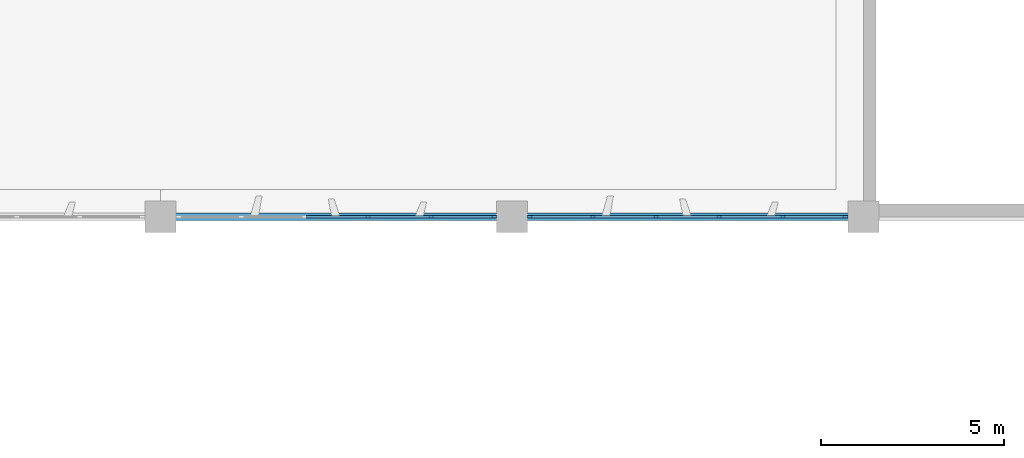
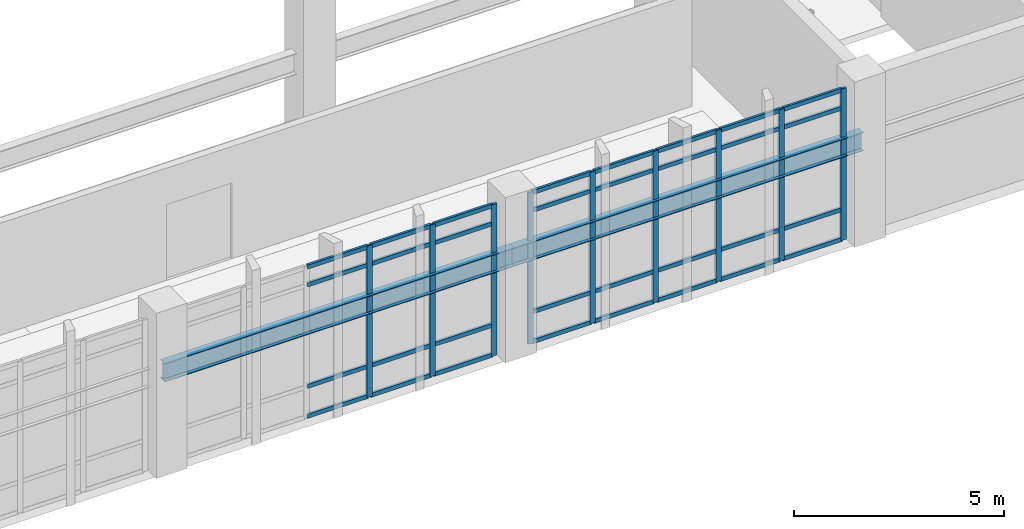
# One storey, part 29 of 86: 41 members, 2 beams, 2 elements without a shape of their own.
"""IFC4 building model written with IfcOpenShell, lengths in metres."""

from ifc_helpers import new_model, si_unit, direction, frame, origin, origin_2d, place, context, subcontext, project, spatial, rectangle, i_section, extrude, material, layer, layer_set, material_profile, profile_set, type_object, element, aggregate, save


model = new_model("IFC4")

# Units and contexts
model_context = context("Model", 3, precision=1e-05, world=origin(), true_north=direction((0.0, 1.0)))
body_context = subcontext(model_context, "Body", "Model", "MODEL_VIEW")
ifc_project = project(units=[si_unit("LENGTHUNIT", "METRE"), si_unit("AREAUNIT", "SQUARE_METRE"), si_unit("VOLUMEUNIT", "CUBIC_METRE"), si_unit("PLANEANGLEUNIT", "RADIAN"), si_unit("MASSUNIT", "GRAM", prefix="KILO")], contexts=[model_context])

# Site, building, storey
site_placement = place(None, origin())
site = spatial("IfcSite", under=ifc_project, at=site_placement, CompositionType="ELEMENT")
building_placement = place(site_placement, origin())
building = spatial("IfcBuilding", under=site, at=building_placement, Name="Kolvemor Railside Polytechnic", CompositionType="ELEMENT")
storey_placement = place(building_placement, frame((0.0, 0.0, 5.39990234375)))
storey = spatial("IfcBuildingStorey", under=building, at=storey_placement, Name="L01", CompositionType="ELEMENT", Elevation=5.39990234375)

# Beams
ifc_material_1 = material(Name="Steel S355", Category="steel")
ifc_material_profile_1 = material_profile(ifc_material_1, i_section(OverallWidth=0.2109375, OverallDepth=0.5390625, WebThickness=0.01171875, FlangeThickness=0.018798828125, FilletRadius=0.013916015625, at=origin_2d()), Name="W530x109")
ifc_profile_set_1 = profile_set([ifc_material_profile_1], Name="Steel S355")
beam_type = type_object("IfcBeamType", Name="BM-ST-CRANE2", PredefinedType="BEAM", material=ifc_profile_set_1)
beam_1_placement = place(storey_placement, frame((105.60009765625, 91.199951171875, 2.730712890625), z_axis=(1.0, 0.0, 0.0), x_axis=(0.0, 1.0, 0.0)))
element("IfcBeam", 1, at=beam_1_placement, inside=storey, type_object=beam_type, Name="Workshop Header Steel Girder CRG-G10", PredefinedType="BEAM", context=body_context, shape_type="SweptSolid", body=[
    extrude(i_section(OverallWidth=0.2109375, OverallDepth=0.5390625, WebThickness=0.01171875, FlangeThickness=0.018798828125, FilletRadius=0.013916015625, at=origin_2d()), origin(), (0.0, 0.0, 1.0), 9.599853515625),
])
beam_2_placement = place(storey_placement, frame((115.199951171875, 91.199951171875, 2.730712890625), z_axis=(1.0, 0.0, 0.0), x_axis=(0.0, 1.0, 0.0)))
element("IfcBeam", 2, at=beam_2_placement, inside=storey, type_object=beam_type, Name="Workshop Header Steel Girder CRG-G11", PredefinedType="BEAM", context=body_context, shape_type="SweptSolid", body=[
    extrude(i_section(OverallWidth=0.2109375, OverallDepth=0.5390625, WebThickness=0.01171875, FlangeThickness=0.018798828125, FilletRadius=0.013916015625, at=origin_2d()), origin(), (0.0, 0.0, 1.0), 9.60009765625),
])

# Curtain wall, members
ifc_material_2 = material(Name="Anodised marine aluminium and laminated low-E glass", Category="aluminium")
ifc_layer = layer(ifc_material_2, 0.179931640625, Name="CW-UNIT-WKS")
ifc_layer_set = layer_set([ifc_layer], Name="Anodised marine aluminium and laminated low-E glass")
curtain_wall_type = type_object("IfcCurtainWallType", Name="CW-UNIT-WKS", PredefinedType="USERDEFINED", material=ifc_layer_set)
curtain_wall_1_placement = place(storey_placement, origin())
curtain_wall_1 = element("IfcCurtainWall", 3, at=curtain_wall_1_placement, inside=storey, type_object=curtain_wall_type, Name="Curtain Wall L01-021", ObjectType="UNITISED CURTAIN WALL", PredefinedType="USERDEFINED")
ifc_material_3 = material(Name="Anodised marine aluminium 6063-T6", Category="aluminium")
ifc_material_profile_2 = material_profile(ifc_material_3, rectangle(XDim=0.06494140625, YDim=0.14990234375, at=origin_2d()), Name="CW-MUL-65x150")
ifc_profile_set_2 = profile_set([ifc_material_profile_2], Name="Anodised marine aluminium 6063-T6")
member_type_1 = type_object("IfcMemberType", Name="CWM-65x150", PredefinedType="MULLION", material=ifc_profile_set_2)
member_1_placement = place(storey_placement, frame((111.26611328125, 91.199951171875, 0.0), z_axis=(0.0, 0.0, 1.0), x_axis=(0.0, 1.0, 0.0)))
member_1 = element("IfcMember", 4, at=member_1_placement, type_object=member_type_1, Name="CW-WKS mullion 4", PredefinedType="MULLION", context=body_context, shape_type="SweptSolid", body=[
    extrude(rectangle(XDim=0.06494140625, YDim=0.14990234375, at=origin_2d()), origin(), (0.0, 0.0, 1.0), 4.400146484375),
])
member_2_placement = place(storey_placement, frame((112.998046875, 91.199951171875, 0.0), z_axis=(0.0, 0.0, 1.0), x_axis=(0.0, 1.0, 0.0)))
member_2 = element("IfcMember", 5, at=member_2_placement, type_object=member_type_1, Name="CW-WKS mullion 5", PredefinedType="MULLION", context=body_context, shape_type="SweptSolid", body=[
    extrude(rectangle(XDim=0.06494140625, YDim=0.14990234375, at=origin_2d()), origin(), (0.0, 0.0, 1.0), 4.400146484375),
])
member_3_placement = place(storey_placement, frame((114.697509765625, 91.199951171875, 0.0), z_axis=(0.0, 0.0, 1.0), x_axis=(0.0, 1.0, 0.0)))
member_3 = element("IfcMember", 6, at=member_3_placement, type_object=member_type_1, Name="CW-WKS mullion 6", PredefinedType="MULLION", context=body_context, shape_type="SweptSolid", body=[
    extrude(rectangle(XDim=0.06494140625, YDim=0.14990234375, at=origin_2d()), origin(), (0.0, 0.0, 1.0), 4.400146484375),
])

curtain_wall_2_placement = place(storey_placement, origin())
curtain_wall_2 = element("IfcCurtainWall", 7, at=curtain_wall_2_placement, inside=storey, type_object=curtain_wall_type, Name="Curtain Wall L01-024", ObjectType="UNITISED CURTAIN WALL", PredefinedType="USERDEFINED")
member_4_placement = place(storey_placement, frame((115.702392578125, 91.199951171875, 0.0), z_axis=(0.0, 0.0, 1.0), x_axis=(0.0, 1.0, 0.0)))
member_4 = element("IfcMember", 8, at=member_4_placement, type_object=member_type_1, Name="CW-WKS mullion 1", PredefinedType="MULLION", context=body_context, shape_type="SweptSolid", body=[
    extrude(rectangle(XDim=0.06494140625, YDim=0.14990234375, at=origin_2d()), origin(), (0.0, 0.0, 1.0), 4.400146484375),
])
member_5_placement = place(storey_placement, frame((117.402099609375, 91.199951171875, 0.0), z_axis=(0.0, 0.0, 1.0), x_axis=(0.0, 1.0, 0.0)))
member_5 = element("IfcMember", 9, at=member_5_placement, type_object=member_type_1, Name="CW-WKS mullion 2", PredefinedType="MULLION", context=body_context, shape_type="SweptSolid", body=[
    extrude(rectangle(XDim=0.06494140625, YDim=0.14990234375, at=origin_2d()), origin(), (0.0, 0.0, 1.0), 4.400146484375),
])
member_6_placement = place(storey_placement, frame((119.134033203125, 91.199951171875, 0.0), z_axis=(0.0, 0.0, 1.0), x_axis=(0.0, 1.0, 0.0)))
member_6 = element("IfcMember", 10, at=member_6_placement, type_object=member_type_1, Name="CW-WKS mullion 3", PredefinedType="MULLION", context=body_context, shape_type="SweptSolid", body=[
    extrude(rectangle(XDim=0.06494140625, YDim=0.14990234375, at=origin_2d()), origin(), (0.0, 0.0, 1.0), 4.400146484375),
])
member_7_placement = place(storey_placement, frame((120.865966796875, 91.199951171875, 0.0), z_axis=(0.0, 0.0, 1.0), x_axis=(0.0, 1.0, 0.0)))
member_7 = element("IfcMember", 11, at=member_7_placement, type_object=member_type_1, Name="CW-WKS mullion 4", PredefinedType="MULLION", context=body_context, shape_type="SweptSolid", body=[
    extrude(rectangle(XDim=0.06494140625, YDim=0.14990234375, at=origin_2d()), origin(), (0.0, 0.0, 1.0), 4.400146484375),
])
member_8_placement = place(storey_placement, frame((122.597900390625, 91.199951171875, 0.0), z_axis=(0.0, 0.0, 1.0), x_axis=(0.0, 1.0, 0.0)))
member_8 = element("IfcMember", 12, at=member_8_placement, type_object=member_type_1, Name="CW-WKS mullion 5", PredefinedType="MULLION", context=body_context, shape_type="SweptSolid", body=[
    extrude(rectangle(XDim=0.06494140625, YDim=0.14990234375, at=origin_2d()), origin(), (0.0, 0.0, 1.0), 4.400146484375),
])
member_9_placement = place(storey_placement, frame((124.297607421875, 91.199951171875, 0.0), z_axis=(0.0, 0.0, 1.0), x_axis=(0.0, 1.0, 0.0)))
member_9 = element("IfcMember", 13, at=member_9_placement, type_object=member_type_1, Name="CW-WKS mullion 6", PredefinedType="MULLION", context=body_context, shape_type="SweptSolid", body=[
    extrude(rectangle(XDim=0.06494140625, YDim=0.14990234375, at=origin_2d()), origin(), (0.0, 0.0, 1.0), 4.400146484375),
])

# Member
ifc_material_4 = material(Name="Anodised marine aluminium 6063-T6", Category="aluminium")
ifc_material_profile_3 = material_profile(ifc_material_4, rectangle(XDim=0.06494140625, YDim=0.1201171875, at=origin_2d()), Name="CW-TRN-65x120")
ifc_profile_set_3 = profile_set([ifc_material_profile_3], Name="Anodised marine aluminium 6063-T6")
member_type_2 = type_object("IfcMemberType", Name="CWT-65x120", PredefinedType="USERDEFINED", material=ifc_profile_set_3)
member_10_placement = place(storey_placement, frame((109.56640625, 91.199951171875, 0.03271484375), z_axis=(1.0, 0.0, 0.0), x_axis=(0.0, 1.0, 0.0)))
member_10 = element("IfcMember", 14, at=member_10_placement, type_object=member_type_2, Name="CW-WKS transom 3.1", ObjectType="TRANSOM", PredefinedType="USERDEFINED", context=body_context, shape_type="SweptSolid", body=[
    extrude(rectangle(XDim=0.06494140625, YDim=0.1201171875, at=origin_2d()), origin(), (0.0, 0.0, 1.0), 1.6669921875),
])

member_11_placement = place(storey_placement, frame((109.56640625, 91.199951171875, 0.900146484375), z_axis=(1.0, 0.0, 0.0), x_axis=(0.0, 1.0, 0.0)))
member_11 = element("IfcMember", 15, at=member_11_placement, type_object=member_type_2, Name="CW-WKS transom 3.2", ObjectType="TRANSOM", PredefinedType="USERDEFINED", context=body_context, shape_type="SweptSolid", body=[
    extrude(rectangle(XDim=0.06494140625, YDim=0.1201171875, at=origin_2d()), origin(), (0.0, 0.0, 1.0), 1.6669921875),
])

member_12_placement = place(storey_placement, frame((109.56640625, 91.199951171875, 3.85009765625), z_axis=(1.0, 0.0, 0.0), x_axis=(0.0, 1.0, 0.0)))
member_12 = element("IfcMember", 16, at=member_12_placement, type_object=member_type_2, Name="CW-WKS transom 3.3", ObjectType="TRANSOM", PredefinedType="USERDEFINED", context=body_context, shape_type="SweptSolid", body=[
    extrude(rectangle(XDim=0.06494140625, YDim=0.1201171875, at=origin_2d()), origin(), (0.0, 0.0, 1.0), 1.6669921875),
])

member_13_placement = place(storey_placement, frame((109.56640625, 91.199951171875, 4.36767578125), z_axis=(1.0, 0.0, 0.0), x_axis=(0.0, 1.0, 0.0)))
member_13 = element("IfcMember", 17, at=member_13_placement, type_object=member_type_2, Name="CW-WKS transom 3.4", ObjectType="TRANSOM", PredefinedType="USERDEFINED", context=body_context, shape_type="SweptSolid", body=[
    extrude(rectangle(XDim=0.06494140625, YDim=0.1201171875, at=origin_2d()), origin(), (0.0, 0.0, 1.0), 1.6669921875),
])

member_14_placement = place(storey_placement, frame((111.298583984375, 91.199951171875, 0.03271484375), z_axis=(1.0, 0.0, 0.0), x_axis=(0.0, 1.0, 0.0)))
member_14 = element("IfcMember", 18, at=member_14_placement, type_object=member_type_2, Name="CW-WKS transom 4.1", ObjectType="TRANSOM", PredefinedType="USERDEFINED", context=body_context, shape_type="SweptSolid", body=[
    extrude(rectangle(XDim=0.06494140625, YDim=0.1201171875, at=origin_2d()), origin(), (0.0, 0.0, 1.0), 1.6669921875),
])

member_15_placement = place(storey_placement, frame((111.298583984375, 91.199951171875, 0.900146484375), z_axis=(1.0, 0.0, 0.0), x_axis=(0.0, 1.0, 0.0)))
member_15 = element("IfcMember", 19, at=member_15_placement, type_object=member_type_2, Name="CW-WKS transom 4.2", ObjectType="TRANSOM", PredefinedType="USERDEFINED", context=body_context, shape_type="SweptSolid", body=[
    extrude(rectangle(XDim=0.06494140625, YDim=0.1201171875, at=origin_2d()), origin(), (0.0, 0.0, 1.0), 1.6669921875),
])

member_16_placement = place(storey_placement, frame((111.298583984375, 91.199951171875, 3.85009765625), z_axis=(1.0, 0.0, 0.0), x_axis=(0.0, 1.0, 0.0)))
member_16 = element("IfcMember", 20, at=member_16_placement, type_object=member_type_2, Name="CW-WKS transom 4.3", ObjectType="TRANSOM", PredefinedType="USERDEFINED", context=body_context, shape_type="SweptSolid", body=[
    extrude(rectangle(XDim=0.06494140625, YDim=0.1201171875, at=origin_2d()), origin(), (0.0, 0.0, 1.0), 1.6669921875),
])

member_17_placement = place(storey_placement, frame((111.298583984375, 91.199951171875, 4.36767578125), z_axis=(1.0, 0.0, 0.0), x_axis=(0.0, 1.0, 0.0)))
member_17 = element("IfcMember", 21, at=member_17_placement, type_object=member_type_2, Name="CW-WKS transom 4.4", ObjectType="TRANSOM", PredefinedType="USERDEFINED", context=body_context, shape_type="SweptSolid", body=[
    extrude(rectangle(XDim=0.06494140625, YDim=0.1201171875, at=origin_2d()), origin(), (0.0, 0.0, 1.0), 1.6669921875),
])

member_18_placement = place(storey_placement, frame((113.030517578125, 91.199951171875, 0.03271484375), z_axis=(1.0, 0.0, 0.0), x_axis=(0.0, 1.0, 0.0)))
member_18 = element("IfcMember", 22, at=member_18_placement, type_object=member_type_2, Name="CW-WKS transom 5.1", ObjectType="TRANSOM", PredefinedType="USERDEFINED", context=body_context, shape_type="SweptSolid", body=[
    extrude(rectangle(XDim=0.06494140625, YDim=0.1201171875, at=origin_2d()), origin(), (0.0, 0.0, 1.0), 1.634521484375),
])

member_19_placement = place(storey_placement, frame((113.030517578125, 91.199951171875, 0.900146484375), z_axis=(1.0, 0.0, 0.0), x_axis=(0.0, 1.0, 0.0)))
member_19 = element("IfcMember", 23, at=member_19_placement, type_object=member_type_2, Name="CW-WKS transom 5.2", ObjectType="TRANSOM", PredefinedType="USERDEFINED", context=body_context, shape_type="SweptSolid", body=[
    extrude(rectangle(XDim=0.06494140625, YDim=0.1201171875, at=origin_2d()), origin(), (0.0, 0.0, 1.0), 1.634521484375),
])

member_20_placement = place(storey_placement, frame((113.030517578125, 91.199951171875, 3.85009765625), z_axis=(1.0, 0.0, 0.0), x_axis=(0.0, 1.0, 0.0)))
member_20 = element("IfcMember", 24, at=member_20_placement, type_object=member_type_2, Name="CW-WKS transom 5.3", ObjectType="TRANSOM", PredefinedType="USERDEFINED", context=body_context, shape_type="SweptSolid", body=[
    extrude(rectangle(XDim=0.06494140625, YDim=0.1201171875, at=origin_2d()), origin(), (0.0, 0.0, 1.0), 1.634521484375),
])

member_21_placement = place(storey_placement, frame((113.030517578125, 91.199951171875, 4.36767578125), z_axis=(1.0, 0.0, 0.0), x_axis=(0.0, 1.0, 0.0)))
member_21 = element("IfcMember", 25, at=member_21_placement, type_object=member_type_2, Name="CW-WKS transom 5.4", ObjectType="TRANSOM", PredefinedType="USERDEFINED", context=body_context, shape_type="SweptSolid", body=[
    extrude(rectangle(XDim=0.06494140625, YDim=0.1201171875, at=origin_2d()), origin(), (0.0, 0.0, 1.0), 1.634521484375),
])

aggregate(curtain_wall_1, [member_1, member_2, member_3, member_10, member_11, member_12, member_13, member_14, member_15, member_16, member_17, member_18, member_19, member_20, member_21])

member_22_placement = place(storey_placement, frame((115.735107421875, 91.199951171875, 0.03271484375), z_axis=(1.0, 0.0, 0.0), x_axis=(0.0, 1.0, 0.0)))
member_22 = element("IfcMember", 26, at=member_22_placement, type_object=member_type_2, Name="CW-WKS transom 1.1", ObjectType="TRANSOM", PredefinedType="USERDEFINED", context=body_context, shape_type="SweptSolid", body=[
    extrude(rectangle(XDim=0.06494140625, YDim=0.1201171875, at=origin_2d()), origin(), (0.0, 0.0, 1.0), 1.63427734375),
])

member_23_placement = place(storey_placement, frame((115.735107421875, 91.199951171875, 0.900146484375), z_axis=(1.0, 0.0, 0.0), x_axis=(0.0, 1.0, 0.0)))
member_23 = element("IfcMember", 27, at=member_23_placement, type_object=member_type_2, Name="CW-WKS transom 1.2", ObjectType="TRANSOM", PredefinedType="USERDEFINED", context=body_context, shape_type="SweptSolid", body=[
    extrude(rectangle(XDim=0.06494140625, YDim=0.1201171875, at=origin_2d()), origin(), (0.0, 0.0, 1.0), 1.63427734375),
])

member_24_placement = place(storey_placement, frame((115.735107421875, 91.199951171875, 3.85009765625), z_axis=(1.0, 0.0, 0.0), x_axis=(0.0, 1.0, 0.0)))
member_24 = element("IfcMember", 28, at=member_24_placement, type_object=member_type_2, Name="CW-WKS transom 1.3", ObjectType="TRANSOM", PredefinedType="USERDEFINED", context=body_context, shape_type="SweptSolid", body=[
    extrude(rectangle(XDim=0.06494140625, YDim=0.1201171875, at=origin_2d()), origin(), (0.0, 0.0, 1.0), 1.63427734375),
])

member_25_placement = place(storey_placement, frame((115.735107421875, 91.199951171875, 4.36767578125), z_axis=(1.0, 0.0, 0.0), x_axis=(0.0, 1.0, 0.0)))
member_25 = element("IfcMember", 29, at=member_25_placement, type_object=member_type_2, Name="CW-WKS transom 1.4", ObjectType="TRANSOM", PredefinedType="USERDEFINED", context=body_context, shape_type="SweptSolid", body=[
    extrude(rectangle(XDim=0.06494140625, YDim=0.1201171875, at=origin_2d()), origin(), (0.0, 0.0, 1.0), 1.63427734375),
])

member_26_placement = place(storey_placement, frame((117.4345703125, 91.199951171875, 0.03271484375), z_axis=(1.0, 0.0, 0.0), x_axis=(0.0, 1.0, 0.0)))
member_26 = element("IfcMember", 30, at=member_26_placement, type_object=member_type_2, Name="CW-WKS transom 2.1", ObjectType="TRANSOM", PredefinedType="USERDEFINED", context=body_context, shape_type="SweptSolid", body=[
    extrude(rectangle(XDim=0.06494140625, YDim=0.1201171875, at=origin_2d()), origin(), (0.0, 0.0, 1.0), 1.6669921875),
])

member_27_placement = place(storey_placement, frame((117.4345703125, 91.199951171875, 0.900146484375), z_axis=(1.0, 0.0, 0.0), x_axis=(0.0, 1.0, 0.0)))
member_27 = element("IfcMember", 31, at=member_27_placement, type_object=member_type_2, Name="CW-WKS transom 2.2", ObjectType="TRANSOM", PredefinedType="USERDEFINED", context=body_context, shape_type="SweptSolid", body=[
    extrude(rectangle(XDim=0.06494140625, YDim=0.1201171875, at=origin_2d()), origin(), (0.0, 0.0, 1.0), 1.6669921875),
])

member_28_placement = place(storey_placement, frame((117.4345703125, 91.199951171875, 3.85009765625), z_axis=(1.0, 0.0, 0.0), x_axis=(0.0, 1.0, 0.0)))
member_28 = element("IfcMember", 32, at=member_28_placement, type_object=member_type_2, Name="CW-WKS transom 2.3", ObjectType="TRANSOM", PredefinedType="USERDEFINED", context=body_context, shape_type="SweptSolid", body=[
    extrude(rectangle(XDim=0.06494140625, YDim=0.1201171875, at=origin_2d()), origin(), (0.0, 0.0, 1.0), 1.6669921875),
])

member_29_placement = place(storey_placement, frame((117.4345703125, 91.199951171875, 4.36767578125), z_axis=(1.0, 0.0, 0.0), x_axis=(0.0, 1.0, 0.0)))
member_29 = element("IfcMember", 33, at=member_29_placement, type_object=member_type_2, Name="CW-WKS transom 2.4", ObjectType="TRANSOM", PredefinedType="USERDEFINED", context=body_context, shape_type="SweptSolid", body=[
    extrude(rectangle(XDim=0.06494140625, YDim=0.1201171875, at=origin_2d()), origin(), (0.0, 0.0, 1.0), 1.6669921875),
])

member_30_placement = place(storey_placement, frame((119.16650390625, 91.199951171875, 0.03271484375), z_axis=(1.0, 0.0, 0.0), x_axis=(0.0, 1.0, 0.0)))
member_30 = element("IfcMember", 34, at=member_30_placement, type_object=member_type_2, Name="CW-WKS transom 3.1", ObjectType="TRANSOM", PredefinedType="USERDEFINED", context=body_context, shape_type="SweptSolid", body=[
    extrude(rectangle(XDim=0.06494140625, YDim=0.1201171875, at=origin_2d()), origin(), (0.0, 0.0, 1.0), 1.6669921875),
])

member_31_placement = place(storey_placement, frame((119.16650390625, 91.199951171875, 0.900146484375), z_axis=(1.0, 0.0, 0.0), x_axis=(0.0, 1.0, 0.0)))
member_31 = element("IfcMember", 35, at=member_31_placement, type_object=member_type_2, Name="CW-WKS transom 3.2", ObjectType="TRANSOM", PredefinedType="USERDEFINED", context=body_context, shape_type="SweptSolid", body=[
    extrude(rectangle(XDim=0.06494140625, YDim=0.1201171875, at=origin_2d()), origin(), (0.0, 0.0, 1.0), 1.6669921875),
])

member_32_placement = place(storey_placement, frame((119.16650390625, 91.199951171875, 3.85009765625), z_axis=(1.0, 0.0, 0.0), x_axis=(0.0, 1.0, 0.0)))
member_32 = element("IfcMember", 36, at=member_32_placement, type_object=member_type_2, Name="CW-WKS transom 3.3", ObjectType="TRANSOM", PredefinedType="USERDEFINED", context=body_context, shape_type="SweptSolid", body=[
    extrude(rectangle(XDim=0.06494140625, YDim=0.1201171875, at=origin_2d()), origin(), (0.0, 0.0, 1.0), 1.6669921875),
])

member_33_placement = place(storey_placement, frame((119.16650390625, 91.199951171875, 4.36767578125), z_axis=(1.0, 0.0, 0.0), x_axis=(0.0, 1.0, 0.0)))
member_33 = element("IfcMember", 37, at=member_33_placement, type_object=member_type_2, Name="CW-WKS transom 3.4", ObjectType="TRANSOM", PredefinedType="USERDEFINED", context=body_context, shape_type="SweptSolid", body=[
    extrude(rectangle(XDim=0.06494140625, YDim=0.1201171875, at=origin_2d()), origin(), (0.0, 0.0, 1.0), 1.6669921875),
])

member_34_placement = place(storey_placement, frame((120.8984375, 91.199951171875, 0.03271484375), z_axis=(1.0, 0.0, 0.0), x_axis=(0.0, 1.0, 0.0)))
member_34 = element("IfcMember", 38, at=member_34_placement, type_object=member_type_2, Name="CW-WKS transom 4.1", ObjectType="TRANSOM", PredefinedType="USERDEFINED", context=body_context, shape_type="SweptSolid", body=[
    extrude(rectangle(XDim=0.06494140625, YDim=0.1201171875, at=origin_2d()), origin(), (0.0, 0.0, 1.0), 1.6669921875),
])

member_35_placement = place(storey_placement, frame((120.8984375, 91.199951171875, 0.900146484375), z_axis=(1.0, 0.0, 0.0), x_axis=(0.0, 1.0, 0.0)))
member_35 = element("IfcMember", 39, at=member_35_placement, type_object=member_type_2, Name="CW-WKS transom 4.2", ObjectType="TRANSOM", PredefinedType="USERDEFINED", context=body_context, shape_type="SweptSolid", body=[
    extrude(rectangle(XDim=0.06494140625, YDim=0.1201171875, at=origin_2d()), origin(), (0.0, 0.0, 1.0), 1.6669921875),
])

member_36_placement = place(storey_placement, frame((120.8984375, 91.199951171875, 3.85009765625), z_axis=(1.0, 0.0, 0.0), x_axis=(0.0, 1.0, 0.0)))
member_36 = element("IfcMember", 40, at=member_36_placement, type_object=member_type_2, Name="CW-WKS transom 4.3", ObjectType="TRANSOM", PredefinedType="USERDEFINED", context=body_context, shape_type="SweptSolid", body=[
    extrude(rectangle(XDim=0.06494140625, YDim=0.1201171875, at=origin_2d()), origin(), (0.0, 0.0, 1.0), 1.6669921875),
])

member_37_placement = place(storey_placement, frame((120.8984375, 91.199951171875, 4.36767578125), z_axis=(1.0, 0.0, 0.0), x_axis=(0.0, 1.0, 0.0)))
member_37 = element("IfcMember", 41, at=member_37_placement, type_object=member_type_2, Name="CW-WKS transom 4.4", ObjectType="TRANSOM", PredefinedType="USERDEFINED", context=body_context, shape_type="SweptSolid", body=[
    extrude(rectangle(XDim=0.06494140625, YDim=0.1201171875, at=origin_2d()), origin(), (0.0, 0.0, 1.0), 1.6669921875),
])

member_38_placement = place(storey_placement, frame((122.630615234375, 91.199951171875, 0.03271484375), z_axis=(1.0, 0.0, 0.0), x_axis=(0.0, 1.0, 0.0)))
member_38 = element("IfcMember", 42, at=member_38_placement, type_object=member_type_2, Name="CW-WKS transom 5.1", ObjectType="TRANSOM", PredefinedType="USERDEFINED", context=body_context, shape_type="SweptSolid", body=[
    extrude(rectangle(XDim=0.06494140625, YDim=0.1201171875, at=origin_2d()), origin(), (0.0, 0.0, 1.0), 1.63427734375),
])

member_39_placement = place(storey_placement, frame((122.630615234375, 91.199951171875, 0.900146484375), z_axis=(1.0, 0.0, 0.0), x_axis=(0.0, 1.0, 0.0)))
member_39 = element("IfcMember", 43, at=member_39_placement, type_object=member_type_2, Name="CW-WKS transom 5.2", ObjectType="TRANSOM", PredefinedType="USERDEFINED", context=body_context, shape_type="SweptSolid", body=[
    extrude(rectangle(XDim=0.06494140625, YDim=0.1201171875, at=origin_2d()), origin(), (0.0, 0.0, 1.0), 1.63427734375),
])

member_40_placement = place(storey_placement, frame((122.630615234375, 91.199951171875, 3.85009765625), z_axis=(1.0, 0.0, 0.0), x_axis=(0.0, 1.0, 0.0)))
member_40 = element("IfcMember", 44, at=member_40_placement, type_object=member_type_2, Name="CW-WKS transom 5.3", ObjectType="TRANSOM", PredefinedType="USERDEFINED", context=body_context, shape_type="SweptSolid", body=[
    extrude(rectangle(XDim=0.06494140625, YDim=0.1201171875, at=origin_2d()), origin(), (0.0, 0.0, 1.0), 1.63427734375),
])

member_41_placement = place(storey_placement, frame((122.630615234375, 91.199951171875, 4.36767578125), z_axis=(1.0, 0.0, 0.0), x_axis=(0.0, 1.0, 0.0)))
member_41 = element("IfcMember", 45, at=member_41_placement, type_object=member_type_2, Name="CW-WKS transom 5.4", ObjectType="TRANSOM", PredefinedType="USERDEFINED", context=body_context, shape_type="SweptSolid", body=[
    extrude(rectangle(XDim=0.06494140625, YDim=0.1201171875, at=origin_2d()), origin(), (0.0, 0.0, 1.0), 1.63427734375),
])

aggregate(curtain_wall_2, [member_4, member_5, member_6, member_7, member_8, member_9, member_22, member_23, member_24, member_25, member_26, member_27, member_28, member_29, member_30, member_31, member_32, member_33, member_34, member_35, member_36, member_37, member_38, member_39, member_40, member_41])

save(model, "model.ifc")
